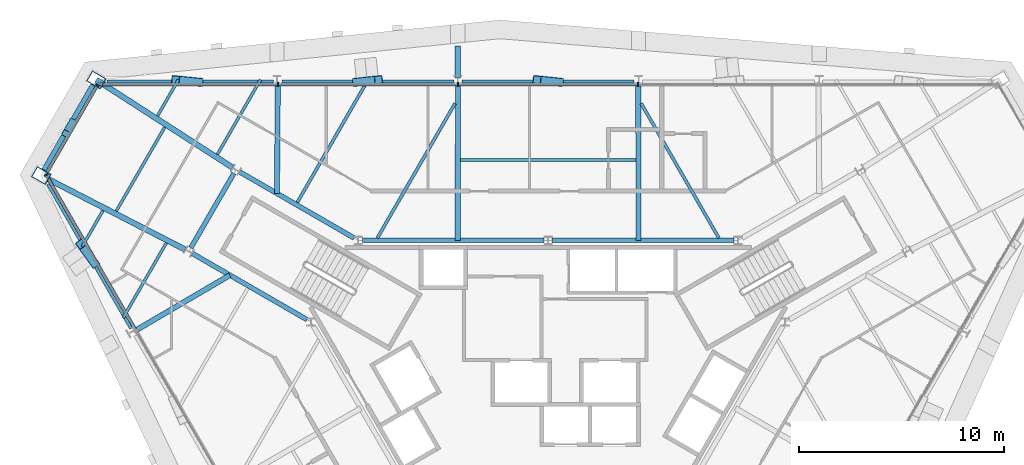
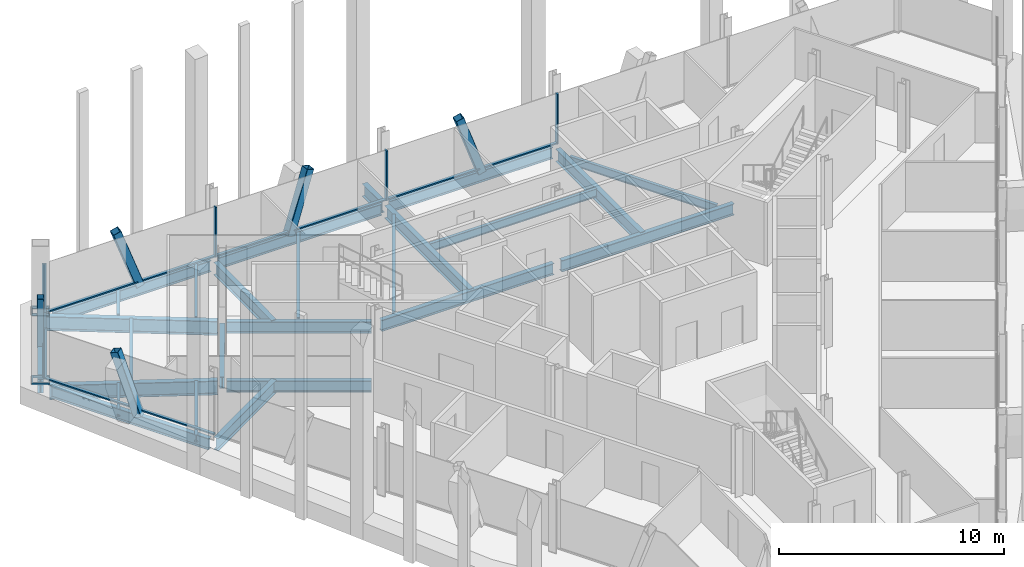
# One storey, part 6 of 14: 26 beams, 17 members, 3 elements without a shape of their own.
"""IFC4 building model written with IfcOpenShell, lengths in metres."""

import ifcopenshell
import ifcopenshell.guid

model = None  # the IFC model being written
_history = None  # IfcOwnerHistory: only IFC2X3 demands one
_inside = {}  # id of a spatial element -> (the spatial element, [elements in it])
_under = {}  # id of a project, library or spatial element -> (it, [spatial elements below it])
_declared = {}  # id of a project -> (the project, [libraries it declares])
_typed = {}  # id of a type object -> (the type object, [elements of that type])
_made_of = {}  # id of a material, layer set ... -> (it, [elements and type objects made of it])


def new_model(schema):
    """Start an empty IFC model of exactly this schema.

    Asked for "IFC4X3", IfcOpenShell would pick the latest addendum, in which some entities
    have other attributes; the version numbers below select the first issue.
    IFC2X3 requires an IfcOwnerHistory on every rooted entity: one is made here for all.
    """
    global model, _history
    if schema == "IFC4X3":
        model = ifcopenshell.file(schema_version=(4, 3, 0, 0))
    else:
        model = ifcopenshell.file(schema=schema)
    _inside.clear()
    _under.clear()
    _declared.clear()
    _typed.clear()
    _made_of.clear()
    _history = None
    if model.schema == "IFC2X3":
        org = make("IfcOrganization", Name="unknown")
        user = make(
            "IfcPersonAndOrganization",
            ThePerson=make("IfcPerson", FamilyName="unknown"),
            TheOrganization=org,
        )
        app = make(
            "IfcApplication",
            ApplicationDeveloper=org,
            Version="unknown",
            ApplicationFullName="unknown",
            ApplicationIdentifier="unknown",
        )
        _history = make(
            "IfcOwnerHistory",
            OwningUser=user,
            OwningApplication=app,
            ChangeAction="ADDED",
            CreationDate=0,
        )
    return model


def make(cls, **values):
    """One entity of the class cls with the attributes given. An attribute that is None is left unset."""
    return model.create_entity(
        cls, **{name: value for name, value in values.items() if value is not None}
    )


def rooted(cls, **values):
    """An entity with a GlobalId (a new one), such as an element, a storey or a relation."""
    return make(cls, GlobalId=ifcopenshell.guid.new(), OwnerHistory=_history, **values)


def si_unit(unit_type, name, prefix=None):
    """IfcSIUnit, for example si_unit("LENGTHUNIT", "METRE", prefix="MILLI")."""
    return make("IfcSIUnit", UnitType=unit_type, Prefix=prefix, Name=name)


def assignment(units):
    """IfcUnitAssignment: the units of a project."""
    return None if units is None else make("IfcUnitAssignment", Units=units)


def point(xyz):
    """IfcCartesianPoint."""
    return None if xyz is None else make("IfcCartesianPoint", Coordinates=xyz)


def direction(xyz):
    """IfcDirection."""
    return None if xyz is None else make("IfcDirection", DirectionRatios=xyz)


def frame(location, z_axis=None, x_axis=None):
    """IfcAxis2Placement3D, a coordinate frame: its origin and axes. An axis left out is left unset."""
    return make(
        "IfcAxis2Placement3D",
        Location=point(location),
        Axis=direction(z_axis),
        RefDirection=direction(x_axis),
    )


def frame_2d(location, x_axis=None):
    """IfcAxis2Placement2D, a coordinate frame in the plane: its origin and x axis."""
    return make(
        "IfcAxis2Placement2D", Location=point(location), RefDirection=direction(x_axis)
    )


def origin():
    """The frame at (0, 0, 0) with its axes left unset."""
    return frame((0.0, 0.0, 0.0))


def origin_2d():
    """The frame at (0, 0) in the plane with its x axis left unset."""
    return frame_2d((0.0, 0.0))


def place(relative_to, where):
    """IfcLocalPlacement: puts the frame where relative to a parent placement (None: the world)."""
    return make(
        "IfcLocalPlacement", PlacementRelTo=relative_to, RelativePlacement=where
    )


def context(
    kind, dimensions, precision=None, world=None, true_north=None, identifier=None
):
    """IfcGeometricRepresentationContext, for example the 3D "Model" context."""
    return make(
        "IfcGeometricRepresentationContext",
        ContextIdentifier=identifier,
        ContextType=kind,
        CoordinateSpaceDimension=dimensions,
        Precision=precision,
        WorldCoordinateSystem=world,
        TrueNorth=true_north,
    )


def subcontext(parent, identifier, kind, view, scale=None):
    """IfcGeometricRepresentationSubContext, for example "Body" below "Model"."""
    return make(
        "IfcGeometricRepresentationSubContext",
        ContextIdentifier=identifier,
        ContextType=kind,
        ParentContext=parent,
        TargetScale=scale,
        TargetView=view,
    )


def project(units=None, contexts=None):
    """IfcProject with its units and contexts."""
    return rooted(
        "IfcProject",
        Name="project",
        RepresentationContexts=contexts,
        UnitsInContext=assignment(units),
    )


def spatial(cls, under=None, at=None, **own):
    """A site, building, storey or space (cls), placed at a placement, below another one or the project."""
    s = rooted(cls, ObjectPlacement=at, **own)
    if under is not None:
        _under.setdefault(under.id(), (under, []))[1].append(s)
    return s


def profile(cls, at=None, kind="AREA", **sizes):
    """A parametric profile (cls). Its sizes go by their IFC names, for example OverallWidth=200.0."""
    return make(cls, ProfileType=kind, Position=at, **sizes)


def rectangle(**sizes):
    """IfcRectangleProfileDef."""
    return profile("IfcRectangleProfileDef", **sizes)


def hollow_rectangle(**sizes):
    """IfcRectangleHollowProfileDef."""
    return profile("IfcRectangleHollowProfileDef", **sizes)


def i_section(**sizes):
    """IfcIShapeProfileDef."""
    return profile("IfcIShapeProfileDef", **sizes)


def extrude(swept, where, along, depth):
    """IfcExtrudedAreaSolid: the profile swept, set in the frame where, extruded along a direction by depth."""
    return make(
        "IfcExtrudedAreaSolid",
        SweptArea=swept,
        Position=where,
        ExtrudedDirection=direction(along),
        Depth=depth,
    )


def shape(context_of_items, identifier, shape_type, items):
    """IfcShapeRepresentation: the items that make up one representation, for example the "Body"."""
    return make(
        "IfcShapeRepresentation",
        ContextOfItems=context_of_items,
        RepresentationIdentifier=identifier,
        RepresentationType=shape_type,
        Items=items,
    )


def material(Name=None, Category=None):
    """IfcMaterial."""
    return make("IfcMaterial", Name=Name, Category=Category)


def material_profile(
    of_material, cross_section, Name=None, Category=None, Priority=None
):
    """IfcMaterialProfile: a cross section and its material."""
    return make(
        "IfcMaterialProfile",
        Name=Name,
        Material=of_material,
        Profile=cross_section,
        Priority=Priority,
        Category=Category,
    )


def profile_set(profiles, Name=None, composite=None):
    """IfcMaterialProfileSet."""
    return make(
        "IfcMaterialProfileSet",
        Name=Name,
        MaterialProfiles=profiles,
        CompositeProfile=composite,
    )


def made_of(thing, what):
    """Note that an element or type object is made of a material, layer set ...; save() writes the relation."""
    if what is not None:
        _made_of.setdefault(what.id(), (what, []))[1].append(thing)
    return thing


def type_object(cls, material=None, **own):
    """A type object (cls), such as IfcWallType, which elements share."""
    return made_of(rooted(cls, **own), material)


def element(
    cls,
    number,
    at=None,
    inside=None,
    cuts=None,
    type_object=None,
    material=None,
    context=None,
    identifier="Body",
    shape_type=None,
    held_by="IfcProductDefinitionShape",
    body=None,
    shapes=None,
    **own,
):
    """One element of the class cls, such as IfcWall. Its Tag is "e" and its number.

    at: its placement. inside: the storey or other place that contains it. cuts: it is an
    opening in that element (IfcRelVoidsElement). A single representation is given by context,
    identifier, shape_type and body (its items); several are given by shapes. held_by: the class
    of the entity that holds the representations. save() writes the other relations.
    """
    e = rooted(cls, Tag="e%d" % number, ObjectPlacement=at, **own)
    if body is not None:
        shapes = [shape(context, identifier, shape_type, body)]
    if shapes is not None:
        e.Representation = make(held_by, Representations=shapes)
    if inside is not None:
        _inside.setdefault(inside.id(), (inside, []))[1].append(e)
    if cuts is not None:
        rooted(
            "IfcRelVoidsElement", RelatingBuildingElement=cuts, RelatedOpeningElement=e
        )
    if type_object is not None:
        _typed.setdefault(type_object.id(), (type_object, []))[1].append(e)
    return made_of(e, material)


def aggregate(whole, parts):
    """IfcRelAggregates: a whole, such as a stair, and the parts it consists of."""
    return rooted("IfcRelAggregates", RelatingObject=whole, RelatedObjects=parts)


def save(model, path):
    """Write the relations noted so far, then the file.

    IfcRelAggregates (storeys below a building ...), IfcRelContainedInSpatialStructure (elements
    in a storey), IfcRelDefinesByType, IfcRelAssociatesMaterial and IfcRelDeclares: one each for
    every whole, place, type object, material and project.
    """
    for whole, parts in _under.values():
        aggregate(whole, parts)
    for where, things in _inside.values():
        rooted(
            "IfcRelContainedInSpatialStructure",
            RelatedElements=things,
            RelatingStructure=where,
        )
    for kind, things in _typed.values():
        rooted("IfcRelDefinesByType", RelatedObjects=things, RelatingType=kind)
    for what, things in _made_of.values():
        rooted("IfcRelAssociatesMaterial", RelatedObjects=things, RelatingMaterial=what)
    for by, libraries in _declared.values():
        rooted("IfcRelDeclares", RelatingContext=by, RelatedDefinitions=libraries)
    model.write(path)


model = new_model("IFC4")

# Units and contexts
model_context = context("Model", 3, precision=1e-05, world=origin(), true_north=direction((0.0, 1.0)))
body_context = subcontext(model_context, "Body", "Model", "MODEL_VIEW")
ifc_project = project(units=[si_unit("LENGTHUNIT", "METRE"), si_unit("AREAUNIT", "SQUARE_METRE"), si_unit("VOLUMEUNIT", "CUBIC_METRE"), si_unit("PLANEANGLEUNIT", "RADIAN"), si_unit("MASSUNIT", "GRAM", prefix="KILO")], contexts=[model_context])

# Site, building, storey
site_placement = place(None, origin())
site = spatial("IfcSite", under=ifc_project, at=site_placement, CompositionType="ELEMENT")
building_placement = place(site_placement, origin())
building = spatial("IfcBuilding", under=site, at=building_placement, Name="Verrane Prism Tower", CompositionType="ELEMENT")
storey_placement = place(building_placement, frame((0.0, 0.0, 217.5)))
storey = spatial("IfcBuildingStorey", under=building, at=storey_placement, Name="L54", CompositionType="ELEMENT", Elevation=217.5)

# Member
ifc_material_1 = material(Name="Steel A500 Grade C", Category="steel")
ifc_material_profile_1 = material_profile(ifc_material_1, hollow_rectangle(XDim=0.3046875, YDim=0.3046875, WallThickness=0.0126953125, InnerFilletRadius=0.00634765625, OuterFilletRadius=0.01904296875, at=origin_2d()), Name="HSS12x12x1/2")
ifc_profile_set_1 = profile_set([ifc_material_profile_1], Name="Steel A500 Grade C")
member_type_1 = type_object("IfcMemberType", Name="Chamfer brace HSS12x12x1/2", PredefinedType="BRACE", material=ifc_profile_set_1)
member_1_placement = place(storey_placement, frame((-23.213623046875, 13.775146484375, -0.24267578125), z_axis=(-0.101664317764, -0.176489870854, 0.979038146335), x_axis=(0.866518541791, -0.499144885511, 0.0)))
element("IfcMember", 1, at=member_1_placement, inside=storey, type_object=member_type_1, Name="Chamfer brace NW0 L54", PredefinedType="BRACE", context=body_context, shape_type="SweptSolid", body=[
    extrude(hollow_rectangle(XDim=0.3046875, YDim=0.3046875, WallThickness=0.0126953125, InnerFilletRadius=0.00634765625, OuterFilletRadius=0.01904296875, at=origin_2d()), origin(), (0.0, 0.0, 1.0), 3.1748046875),
])

# Beams
ifc_material_2 = material(Name="Steel A992", Category="steel")
ifc_material_profile_2 = material_profile(ifc_material_2, i_section(OverallWidth=0.2666015625, OverallDepth=0.7568359375, WebThickness=0.013916015625, FlangeThickness=0.019287109375, FilletRadius=0.0166015625, at=origin_2d()), Name="W30x108")
ifc_profile_set_2 = profile_set([ifc_material_profile_2], Name="Steel A992")
beam_type_1 = type_object("IfcBeamType", Name="Chamfer spandrel beam W30x108", PredefinedType="SPANDREL", material=ifc_profile_set_2)
beam_1_placement = place(storey_placement, frame((-22.1796875, 15.570068359375, -0.53857421875), z_axis=(-0.499144251771, -0.866518906848, 0.0), x_axis=(0.866518906848, -0.499144251771, 0.0)))
element("IfcBeam", 2, at=beam_1_placement, inside=storey, type_object=beam_type_1, Name="Chamfer spandrel beam L54", PredefinedType="SPANDREL", context=body_context, shape_type="SweptSolid", body=[
    extrude(i_section(OverallWidth=0.2666015625, OverallDepth=0.7568359375, WebThickness=0.013916015625, FlangeThickness=0.019287109375, FilletRadius=0.0166015625, at=origin_2d()), origin(), (0.0, 0.0, 1.0), 4.78955078125),
])
ifc_material_3 = material(Name="Steel A992", Category="steel")
ifc_material_profile_3 = material_profile(ifc_material_3, i_section(OverallWidth=0.23046875, OverallDepth=0.6171875, WebThickness=0.01318359375, FlangeThickness=0.022216796875, FilletRadius=0.012939453125, at=origin_2d()), Name="W24x94")
ifc_profile_set_3 = profile_set([ifc_material_profile_3], Name="Steel A992")
beam_type_2 = type_object("IfcBeamType", Name="Core ring girder W24x94", PredefinedType="BEAM", material=ifc_profile_set_3)
for number, where, z_axis, x_axis, name in (
    (3, (9.060546875, 8.0, -0.55859375), (-1.0, 0.0, 0.0), (0.0, -1.0, 0.0), "Core ring girder L54"),
    (4, (-0.199462890625, 8.0, -0.55859375), (-1.0, 0.0, 0.0), (0.0, -1.0, 0.0), "Core ring girder L54"),
):
    element("IfcBeam", number, at=place(storey_placement, frame(where, z_axis=z_axis, x_axis=x_axis)), inside=storey, type_object=beam_type_2, Name=name, PredefinedType="BEAM", context=body_context, shape_type="SweptSolid", body=[
        extrude(i_section(OverallWidth=0.23046875, OverallDepth=0.6171875, WebThickness=0.01318359375, FlangeThickness=0.022216796875, FilletRadius=0.012939453125, at=origin_2d()), origin(), (0.0, 0.0, 1.0), 8.861083984375),
    ])
beam_2_placement = place(storey_placement, frame((-9.45947265625, 8.114990234375, -0.55859375), z_axis=(-0.866080992722, 0.499903704773, 0.0), x_axis=(-0.499903704773, -0.866080992722, 0.0)))
element("IfcBeam", 5, at=beam_2_placement, inside=storey, type_object=beam_type_2, Name="Core ring girder L54", PredefinedType="BEAM", context=body_context, shape_type="SweptSolid", body=[
    extrude(i_section(OverallWidth=0.23046875, OverallDepth=0.6171875, WebThickness=0.01318359375, FlangeThickness=0.022216796875, FilletRadius=0.012939453125, at=origin_2d()), origin(), (0.0, 0.0, 1.0), 6.451904296875),
])
beam_3_placement = place(storey_placement, frame((-15.3203125, 11.266357421875, -0.55859375), z_axis=(-0.500375511519, -0.865808493532, 0.0), x_axis=(0.865808493532, -0.500375511519, 0.0)))
element("IfcBeam", 6, at=beam_3_placement, inside=storey, type_object=beam_type_2, Name="Core ring girder L54", PredefinedType="BEAM", context=body_context, shape_type="SweptSolid", body=[
    extrude(i_section(OverallWidth=0.23046875, OverallDepth=0.6171875, WebThickness=0.01318359375, FlangeThickness=0.022216796875, FilletRadius=0.012939453125, at=origin_2d()), origin(), (0.0, 0.0, 1.0), 4.195556640625),
])
beam_4_placement = place(storey_placement, frame((-17.347412109375, 7.3603515625, -0.55859375), z_axis=(0.866080992722, -0.499903704773, 0.0), x_axis=(0.499903704773, 0.866080992722, 0.0)))
element("IfcBeam", 7, at=beam_4_placement, inside=storey, type_object=beam_type_2, Name="Core ring girder L54", PredefinedType="BEAM", context=body_context, shape_type="SweptSolid", body=[
    extrude(i_section(OverallWidth=0.23046875, OverallDepth=0.6171875, WebThickness=0.01318359375, FlangeThickness=0.022216796875, FilletRadius=0.012939453125, at=origin_2d()), origin(), (0.0, 0.0, 1.0), 6.451904296875),
])
ifc_material_4 = material(Name="Steel A992", Category="steel")
ifc_material_profile_4 = material_profile(ifc_material_4, i_section(OverallWidth=0.2666015625, OverallDepth=0.76708984375, WebThickness=0.014892578125, FlangeThickness=0.023681640625, FilletRadius=0.0166015625, at=origin_2d()), Name="W30x124")
ifc_profile_set_4 = profile_set([ifc_material_profile_4], Name="Steel A992")
beam_type_3 = type_object("IfcBeamType", Name="Corner girder W30x124", PredefinedType="BEAM", material=ifc_profile_set_4)
beam_5_placement = place(storey_placement, frame((-22.02880859375, 15.8291015625, -0.603515625), z_axis=(0.840503183153, -0.541806606742, 0.0), x_axis=(0.541806606742, 0.840503183153, 0.0)))
element("IfcBeam", 8, at=beam_5_placement, inside=storey, type_object=beam_type_3, Name="Corner girder L54", PredefinedType="BEAM", context=body_context, shape_type="SweptSolid", body=[
    extrude(i_section(OverallWidth=0.2666015625, OverallDepth=0.76708984375, WebThickness=0.014892578125, FlangeThickness=0.023681640625, FilletRadius=0.0166015625, at=origin_2d()), origin(), (0.0, 0.0, 1.0), 7.9013671875),
])
beam_6_placement = place(storey_placement, frame((-24.36376953125, 10.97705078125, -0.603515625), z_axis=(0.889427813273, -0.457075666576, 0.0), x_axis=(0.457075666576, 0.889427813273, 0.0)))
element("IfcBeam", 9, at=beam_6_placement, inside=storey, type_object=beam_type_3, Name="Corner girder L54", PredefinedType="BEAM", context=body_context, shape_type="SweptSolid", body=[
    extrude(i_section(OverallWidth=0.2666015625, OverallDepth=0.76708984375, WebThickness=0.014892578125, FlangeThickness=0.023681640625, FilletRadius=0.0166015625, at=origin_2d()), origin(), (0.0, 0.0, 1.0), 7.4951171875),
])

# Members
ifc_material_5 = material(Name="Steel A500 Grade C", Category="steel")
ifc_material_profile_5 = material_profile(ifc_material_5, hollow_rectangle(XDim=0.406494140625, YDim=0.406494140625, WallThickness=0.01904296875, InnerFilletRadius=0.009521484375, OuterFilletRadius=0.028564453125, at=origin_2d()), Name="HSS16x16x3/4")
ifc_profile_set_5 = profile_set([ifc_material_profile_5], Name="Steel A500 Grade C")
member_type_2 = type_object("IfcMemberType", Name="Facade brace HSS16x16x3/4", PredefinedType="BRACE", material=ifc_profile_set_5)
member_2_placement = place(storey_placement, frame((0.542236328125, 15.714599609375, -0.216796875), z_axis=(-0.321696435785, 0.034186118653, 0.946225508267), x_axis=(-0.105673248524, -0.994400907354, 0.0)))
element("IfcMember", 10, at=member_2_placement, inside=storey, type_object=member_type_2, Name="Facade brace N2 L54", PredefinedType="BRACE", context=body_context, shape_type="SweptSolid", body=[
    extrude(hollow_rectangle(XDim=0.406494140625, YDim=0.406494140625, WallThickness=0.01904296875, InnerFilletRadius=0.009521484375, OuterFilletRadius=0.028564453125, at=origin_2d()), origin(), (0.0, 0.0, 1.0), 3.3779296875),
])
member_3_placement = place(storey_placement, frame((-9.330810546875, 15.714599609375, -0.216796875), z_axis=(0.314998621258, 0.034267329313, 0.948473309454), x_axis=(-0.108147604193, 0.994134847849, 0.0)))
element("IfcMember", 11, at=member_3_placement, inside=storey, type_object=member_type_2, Name="Facade brace N3 L54", PredefinedType="BRACE", context=body_context, shape_type="SweptSolid", body=[
    extrude(hollow_rectangle(XDim=0.406494140625, YDim=0.406494140625, WallThickness=0.01904296875, InnerFilletRadius=0.009521484375, OuterFilletRadius=0.028564453125, at=origin_2d()), origin(), (0.0, 0.0, 1.0), 3.369873046875),
])
member_4_placement = place(storey_placement, frame((-17.032470703125, 15.714599609375, -0.216796875), z_axis=(-0.333797580148, 0.034034545249, 0.942030161522), x_axis=(-0.101435721286, -0.994842095233, 0.0)))
element("IfcMember", 12, at=member_4_placement, inside=storey, type_object=member_type_2, Name="Facade brace N4 L54", PredefinedType="BRACE", context=body_context, shape_type="SweptSolid", body=[
    extrude(hollow_rectangle(XDim=0.406494140625, YDim=0.406494140625, WallThickness=0.01904296875, InnerFilletRadius=0.009521484375, OuterFilletRadius=0.028564453125, at=origin_2d()), origin(), (0.0, 0.0, 1.0), 3.39306640625),
])
member_5_placement = place(storey_placement, frame((-22.124267578125, 6.890380859375, -0.216796875), z_axis=(-0.19616850843, 0.271872569644, 0.94212696712), x_axis=(-0.810939512146, -0.585129992088, 0.0)))
element("IfcMember", 13, at=member_5_placement, inside=storey, type_object=member_type_2, Name="Facade brace SW0 L54", PredefinedType="BRACE", context=body_context, shape_type="SweptSolid", body=[
    extrude(hollow_rectangle(XDim=0.406494140625, YDim=0.406494140625, WallThickness=0.01904296875, InnerFilletRadius=0.009521484375, OuterFilletRadius=0.028564453125, at=origin_2d()), origin(), (0.0, 0.0, 1.0), 3.392578125),
])

# Beams
ifc_material_6 = material(Name="Steel A992", Category="steel")
ifc_material_profile_6 = material_profile(ifc_material_6, i_section(OverallWidth=0.140380859375, OverallDepth=0.40380859375, WebThickness=0.007080078125, FlangeThickness=0.01123046875, FilletRadius=0.01025390625, at=origin_2d()), Name="W16x31")
ifc_profile_set_6 = profile_set([ifc_material_profile_6], Name="Steel A992")
beam_type_4 = type_object("IfcBeamType", Name="Floor beam W16x31", PredefinedType="BEAM", material=ifc_profile_set_6)
beam_7_placement = place(storey_placement, frame((-16.12890625, 12.184814453125, -0.36181640625), z_axis=(0.499981865284, 0.866035873614, 0.0), x_axis=(-0.866035873614, 0.499981865284, 0.0)))
element("IfcBeam", 14, at=beam_7_placement, inside=storey, type_object=beam_type_4, Name="Floor beam L54", PredefinedType="BEAM", context=body_context, shape_type="SweptSolid", body=[
    extrude(i_section(OverallWidth=0.140380859375, OverallDepth=0.40380859375, WebThickness=0.007080078125, FlangeThickness=0.01123046875, FilletRadius=0.01025390625, at=origin_2d()), origin(), (0.0, 0.0, 1.0), 4.209228515625),
])
beam_8_placement = place(storey_placement, frame((-19.0458984375, 14.065185546875, -0.36181640625), z_axis=(0.499940238163, 0.866059904548, 0.0), x_axis=(-0.866059904548, 0.499940238163, 0.0)))
element("IfcBeam", 15, at=beam_8_placement, inside=storey, type_object=beam_type_4, Name="Floor beam L54", PredefinedType="BEAM", context=body_context, shape_type="SweptSolid", body=[
    extrude(i_section(OverallWidth=0.140380859375, OverallDepth=0.40380859375, WebThickness=0.007080078125, FlangeThickness=0.01123046875, FilletRadius=0.01025390625, at=origin_2d()), origin(), (0.0, 0.0, 1.0), 2.037841796875),
])
beam_9_placement = place(storey_placement, frame((-20.720458984375, 4.224365234375, -0.36181640625), z_axis=(0.500010096862, 0.86601957428, 0.0), x_axis=(-0.86601957428, 0.500010096862, 0.0)))
element("IfcBeam", 16, at=beam_9_placement, inside=storey, type_object=beam_type_4, Name="Floor beam L54", PredefinedType="BEAM", context=body_context, shape_type="SweptSolid", body=[
    extrude(i_section(OverallWidth=0.140380859375, OverallDepth=0.40380859375, WebThickness=0.007080078125, FlangeThickness=0.01123046875, FilletRadius=0.01025390625, at=origin_2d()), origin(), (0.0, 0.0, 1.0), 4.21240234375),
])
beam_10_placement = place(storey_placement, frame((-22.72021484375, 7.692138671875, -0.36181640625), z_axis=(0.500040236659, 0.866002171892, 0.0), x_axis=(-0.866002171892, 0.500040236659, 0.0)))
element("IfcBeam", 17, at=beam_10_placement, inside=storey, type_object=beam_type_4, Name="Floor beam L54", PredefinedType="BEAM", context=body_context, shape_type="SweptSolid", body=[
    extrude(i_section(OverallWidth=0.140380859375, OverallDepth=0.40380859375, WebThickness=0.007080078125, FlangeThickness=0.01123046875, FilletRadius=0.01025390625, at=origin_2d()), origin(), (0.0, 0.0, 1.0), 2.039306640625),
])
beam_11_placement = place(storey_placement, frame((-21.0546875, 9.426513671875, -0.36181640625), z_axis=(0.499972881236, 0.866041060244, 0.0), x_axis=(-0.866041060244, 0.499972881236, 0.0)))
element("IfcBeam", 18, at=beam_11_placement, inside=storey, type_object=beam_type_4, Name="Floor beam L54", PredefinedType="BEAM", context=body_context, shape_type="SweptSolid", body=[
    extrude(i_section(OverallWidth=0.140380859375, OverallDepth=0.40380859375, WebThickness=0.007080078125, FlangeThickness=0.01123046875, FilletRadius=0.01025390625, at=origin_2d()), origin(), (0.0, 0.0, 1.0), 4.725830078125),
])
ifc_material_7 = material(Name="Steel A992", Category="steel")
ifc_material_profile_7 = material_profile(ifc_material_7, i_section(OverallWidth=0.15234375, OverallDepth=0.449462890625, WebThickness=0.007568359375, FlangeThickness=0.0107421875, FilletRadius=0.01025390625, at=origin_2d()), Name="W18x35")
ifc_profile_set_7 = profile_set([ifc_material_profile_7], Name="Steel A992")
beam_type_5 = type_object("IfcBeamType", Name="Floor beam W18x35", PredefinedType="BEAM", material=ifc_profile_set_7)
beam_12_placement = place(storey_placement, frame((8.3251953125, 8.114990234375, -0.384765625), z_axis=(-0.499996766439, 0.866027270674, 0.0), x_axis=(-0.866027270674, -0.499996766439, 0.0)))
element("IfcBeam", 19, at=beam_12_placement, inside=storey, type_object=beam_type_5, Name="Floor beam L54", PredefinedType="BEAM", context=body_context, shape_type="SweptSolid", body=[
    extrude(i_section(OverallWidth=0.15234375, OverallDepth=0.449462890625, WebThickness=0.007568359375, FlangeThickness=0.0107421875, FilletRadius=0.01025390625, at=origin_2d()), origin(), (0.0, 0.0, 1.0), 7.57568359375),
])
beam_13_placement = place(storey_placement, frame((-4.282958984375, 11.9150390625, -0.384765625), z_axis=(1.0, 0.0, 0.0), x_axis=(0.0, 1.0, 0.0)))
element("IfcBeam", 20, at=beam_13_placement, inside=storey, type_object=beam_type_5, Name="Floor beam L54", PredefinedType="BEAM", context=body_context, shape_type="SweptSolid", body=[
    extrude(i_section(OverallWidth=0.15234375, OverallDepth=0.449462890625, WebThickness=0.007568359375, FlangeThickness=0.0107421875, FilletRadius=0.01025390625, at=origin_2d()), origin(), (0.0, 0.0, 1.0), 8.56591796875),
])
beam_14_placement = place(storey_placement, frame((-8.3251953125, 8.114990234375, -0.384765625), z_axis=(0.499996766439, 0.866027270674, 0.0), x_axis=(-0.866027270674, 0.499996766439, 0.0)))
element("IfcBeam", 21, at=beam_14_placement, inside=storey, type_object=beam_type_5, Name="Floor beam L54", PredefinedType="BEAM", context=body_context, shape_type="SweptSolid", body=[
    extrude(i_section(OverallWidth=0.15234375, OverallDepth=0.449462890625, WebThickness=0.007568359375, FlangeThickness=0.0107421875, FilletRadius=0.01025390625, at=origin_2d()), origin(), (0.0, 0.0, 1.0), 7.57568359375),
])
beam_15_placement = place(storey_placement, frame((-12.22900390625, 9.849853515625, -0.384765625), z_axis=(0.499994833418, 0.866028386691, 0.0), x_axis=(-0.866028386691, 0.499994833418, 0.0)))
element("IfcBeam", 22, at=beam_15_placement, inside=storey, type_object=beam_type_5, Name="Floor beam L54", PredefinedType="BEAM", context=body_context, shape_type="SweptSolid", body=[
    extrude(i_section(OverallWidth=0.15234375, OverallDepth=0.449462890625, WebThickness=0.007568359375, FlangeThickness=0.0107421875, FilletRadius=0.01025390625, at=origin_2d()), origin(), (0.0, 0.0, 1.0), 6.9052734375),
])

# Members
ifc_material_8 = material(Name="Steel A572 Grade 50", Category="steel")
ifc_material_profile_8 = material_profile(ifc_material_8, hollow_rectangle(XDim=0.60009765625, YDim=0.800048828125, WallThickness=0.050048828125, at=origin_2d()), Name="BOX 800x600x50")
ifc_profile_set_8 = profile_set([ifc_material_profile_8], Name="Steel A572 Grade 50")
member_type_3 = type_object("IfcMemberType", Name="Kink node BOX 800x600x50", PredefinedType="COLLAR", material=ifc_profile_set_8)
for number, where, z_axis, x_axis, name in (
    (23, (-22.0263671875, 15.823974609375, -0.06494140625), (0.0, 0.0, 1.0), (0.5, 0.866025403784, 0.0), "Kink node MC4 L54"),
    (24, (-24.712890625, 11.159912109375, -0.06494140625), (0.0, 0.0, 1.0), (0.5, 0.866025403784, 0.0), "Kink node MC4 L54"),
):
    element("IfcMember", number, at=place(storey_placement, frame(where, z_axis=z_axis, x_axis=x_axis)), inside=storey, type_object=member_type_3, Name=name, PredefinedType="COLLAR", context=body_context, shape_type="SweptSolid", body=[
        extrude(hollow_rectangle(XDim=0.60009765625, YDim=0.800048828125, WallThickness=0.050048828125, at=origin_2d()), origin(), (0.0, 0.0, 1.0), 0.1298828125),
    ])

# Curtain wall, members
ifc_material_9 = material(Name="Aluminium framed insulated glazing", Category="aluminium")
curtain_wall_type = type_object("IfcCurtainWallType", Name="Curtain wall CW-A 8400 module", PredefinedType="NOTDEFINED", material=ifc_material_9)
curtain_wall_1_placement = place(storey_placement, origin())
curtain_wall_1 = element("IfcCurtainWall", 25, at=curtain_wall_1_placement, inside=storey, type_object=curtain_wall_type, Name="Glazed curtain wall north face L54", PredefinedType="NOTDEFINED")
ifc_material_10 = material(Name="Aluminium alloy 6063-T6", Category="aluminium")
ifc_material_profile_9 = material_profile(ifc_material_10, rectangle(XDim=0.199951171875, YDim=0.070068359375, at=origin_2d()), Name="Mullion 70x200 aluminium")
ifc_profile_set_9 = profile_set([ifc_material_profile_9], Name="Aluminium alloy 6063-T6")
member_type_4 = type_object("IfcMemberType", Name="Mullion 70x200 aluminium", PredefinedType="MULLION", material=ifc_profile_set_9)
member_6_placement = place(storey_placement, frame((4.39111328125, 15.601806640625, 0.0), z_axis=(0.0, 0.0, 1.0), x_axis=(0.0, -1.0, 0.0)))
member_6 = element("IfcMember", 26, at=member_6_placement, type_object=member_type_4, Name="CW54.2 mullion 3", PredefinedType="MULLION", context=body_context, shape_type="SweptSolid", body=[
    extrude(rectangle(XDim=0.199951171875, YDim=0.070068359375, at=origin_2d()), origin(), (0.0, 0.0, 1.0), 2.712890625),
])
member_7_placement = place(storey_placement, frame((-4.39111328125, 15.601806640625, 0.0), z_axis=(0.0, 0.0, 1.0), x_axis=(0.0, -1.0, 0.0)))
member_7 = element("IfcMember", 27, at=member_7_placement, type_object=member_type_4, Name="CW54.2 mullion 4", PredefinedType="MULLION", context=body_context, shape_type="SweptSolid", body=[
    extrude(rectangle(XDim=0.199951171875, YDim=0.070068359375, at=origin_2d()), origin(), (0.0, 0.0, 1.0), 2.712890625),
])
member_8_placement = place(storey_placement, frame((-13.173095703125, 15.601806640625, 0.0), z_axis=(0.0, 0.0, 1.0), x_axis=(0.0, -1.0, 0.0)))
member_8 = element("IfcMember", 28, at=member_8_placement, type_object=member_type_4, Name="CW54.2 mullion 5", PredefinedType="MULLION", context=body_context, shape_type="SweptSolid", body=[
    extrude(rectangle(XDim=0.199951171875, YDim=0.070068359375, at=origin_2d()), origin(), (0.0, 0.0, 1.0), 2.712890625),
])

# Curtain wall, member
curtain_wall_2_placement = place(storey_placement, origin())
curtain_wall_2 = element("IfcCurtainWall", 29, at=curtain_wall_2_placement, inside=storey, type_object=curtain_wall_type, Name="Glazed curtain wall north-west corner L54", PredefinedType="NOTDEFINED")
member_9_placement = place(storey_placement, frame((-21.972900390625, 15.571533203125, 0.0), z_axis=(0.0, 0.0, 1.0), x_axis=(0.866028188915, -0.499995175981, 0.0)))
member_9 = element("IfcMember", 30, at=member_9_placement, type_object=member_type_4, Name="CW54.3 mullion 1", PredefinedType="MULLION", context=body_context, shape_type="SweptSolid", body=[
    extrude(rectangle(XDim=0.199951171875, YDim=0.070068359375, at=origin_2d()), origin(), (0.0, 0.0, 1.0), 2.712890625),
])

curtain_wall_3_placement = place(storey_placement, origin())
curtain_wall_3 = element("IfcCurtainWall", 31, at=curtain_wall_3_placement, inside=storey, type_object=curtain_wall_type, Name="Glazed curtain wall south-west face L54", PredefinedType="NOTDEFINED")
member_10_placement = place(storey_placement, frame((-24.4716796875, 11.1826171875, 0.0), z_axis=(0.0, 0.0, 1.0), x_axis=(0.866024862365, 0.500000937764, 0.0)))
member_10 = element("IfcMember", 32, at=member_10_placement, type_object=member_type_4, Name="CW54.4 mullion 1", PredefinedType="MULLION", context=body_context, shape_type="SweptSolid", body=[
    extrude(rectangle(XDim=0.199951171875, YDim=0.070068359375, at=origin_2d()), origin(), (0.0, 0.0, 1.0), 2.712890625),
])

# Beams
ifc_material_11 = material(Name="Steel A992", Category="steel")
ifc_material_profile_10 = material_profile(ifc_material_11, i_section(OverallWidth=0.25390625, OverallDepth=0.683349609375, WebThickness=0.012451171875, FlangeThickness=0.01904296875, FilletRadius=0.01513671875, at=origin_2d()), Name="W27x94")
ifc_profile_set_10 = profile_set([ifc_material_profile_10], Name="Steel A992")
beam_type_6 = type_object("IfcBeamType", Name="Radial girder W27x94", PredefinedType="BEAM", material=ifc_profile_set_10)
for number, where, z_axis, x_axis, name in (
    (33, (4.3955078125, 15.51513671875, -0.5615234375), (0.001916701047, -0.999998163127, 0.0), (0.999998163127, 0.001916701047, 0.0), "Radial girder L54"),
    (34, (-4.3955078125, 15.51513671875, -0.5615234375), (-0.001916701047, -0.999998163127, 0.0), (0.999998163127, -0.001916701047, 0.0), "Radial girder L54"),
):
    element("IfcBeam", number, at=place(storey_placement, frame(where, z_axis=z_axis, x_axis=x_axis)), inside=storey, type_object=beam_type_6, Name=name, PredefinedType="BEAM", context=body_context, shape_type="SweptSolid", body=[
        extrude(i_section(OverallWidth=0.25390625, OverallDepth=0.683349609375, WebThickness=0.012451171875, FlangeThickness=0.01904296875, FilletRadius=0.01513671875, at=origin_2d()), origin(), (0.0, 0.0, 1.0), 7.51513671875),
    ])
beam_16_placement = place(storey_placement, frame((-13.180419921875, 15.51513671875, -0.5615234375), z_axis=(-0.007562808919, -0.999971401552, 0.0), x_axis=(0.999971401552, -0.007562808919, 0.0)))
element("IfcBeam", 35, at=beam_16_placement, inside=storey, type_object=beam_type_6, Name="Radial girder L54", PredefinedType="BEAM", context=body_context, shape_type="SweptSolid", body=[
    extrude(i_section(OverallWidth=0.25390625, OverallDepth=0.683349609375, WebThickness=0.012451171875, FlangeThickness=0.01904296875, FilletRadius=0.01513671875, at=origin_2d()), origin(), (0.0, 0.0, 1.0), 5.229736328125),
])
beam_17_placement = place(storey_placement, frame((-20.027587890625, 3.654052734375, -0.5615234375), z_axis=(0.862301062131, 0.506395969817, 0.0), x_axis=(-0.506395969817, 0.862301062131, 0.0)))
element("IfcBeam", 36, at=beam_17_placement, inside=storey, type_object=beam_type_6, Name="Radial girder L54", PredefinedType="BEAM", context=body_context, shape_type="SweptSolid", body=[
    extrude(i_section(OverallWidth=0.25390625, OverallDepth=0.683349609375, WebThickness=0.012451171875, FlangeThickness=0.01904296875, FilletRadius=0.01513671875, at=origin_2d()), origin(), (0.0, 0.0, 1.0), 5.23193359375),
])
beam_18_placement = place(storey_placement, frame((-4.409912109375, 15.909912109375, -0.5615234375), z_axis=(0.0, 1.0, 0.0), x_axis=(-1.0, 0.0, 0.0)))
element("IfcBeam", 37, at=beam_18_placement, inside=storey, type_object=beam_type_6, Name="Cantilever girder L54", PredefinedType="BEAM", context=body_context, shape_type="SweptSolid", body=[
    extrude(i_section(OverallWidth=0.25390625, OverallDepth=0.683349609375, WebThickness=0.012451171875, FlangeThickness=0.01904296875, FilletRadius=0.01513671875, at=origin_2d()), origin(), (0.0, 0.0, 1.0), 1.575439453125),
])
ifc_material_12 = material(Name="Steel A992", Category="steel")
ifc_material_profile_11 = material_profile(ifc_material_12, i_section(OverallWidth=0.23046875, OverallDepth=0.6171875, WebThickness=0.01318359375, FlangeThickness=0.022216796875, FilletRadius=0.012939453125, at=origin_2d()), Name="W24x94")
ifc_profile_set_11 = profile_set([ifc_material_profile_11], Name="Steel A992")
beam_type_7 = type_object("IfcBeamType", Name="Spandrel beam W24x94", PredefinedType="SPANDREL", material=ifc_profile_set_11)
beam_19_placement = place(storey_placement, frame((4.194580078125, 15.714599609375, -0.468505859375), z_axis=(-1.0, 0.0, 0.0), x_axis=(0.0, -1.0, 0.0)))
element("IfcBeam", 38, at=beam_19_placement, inside=storey, type_object=beam_type_7, Name="Spandrel beam L54", PredefinedType="SPANDREL", context=body_context, shape_type="SweptSolid", body=[
    extrude(i_section(OverallWidth=0.23046875, OverallDepth=0.6171875, WebThickness=0.01318359375, FlangeThickness=0.022216796875, FilletRadius=0.012939453125, at=origin_2d()), origin(), (0.0, 0.0, 1.0), 8.38916015625),
])
beam_20_placement = place(storey_placement, frame((-4.595703125, 15.714599609375, -0.468505859375), z_axis=(-1.0, 0.0, 0.0), x_axis=(0.0, -1.0, 0.0)))
element("IfcBeam", 39, at=beam_20_placement, inside=storey, type_object=beam_type_7, Name="Spandrel beam L54", PredefinedType="SPANDREL", context=body_context, shape_type="SweptSolid", body=[
    extrude(i_section(OverallWidth=0.23046875, OverallDepth=0.6171875, WebThickness=0.01318359375, FlangeThickness=0.022216796875, FilletRadius=0.012939453125, at=origin_2d()), origin(), (0.0, 0.0, 1.0), 8.38232421875),
])
beam_21_placement = place(storey_placement, frame((-13.37939453125, 15.714599609375, -0.468505859375), z_axis=(-1.0, 0.0, 0.0), x_axis=(0.0, -1.0, 0.0)))
element("IfcBeam", 40, at=beam_21_placement, inside=storey, type_object=beam_type_7, Name="Spandrel beam L54", PredefinedType="SPANDREL", context=body_context, shape_type="SweptSolid", body=[
    extrude(i_section(OverallWidth=0.23046875, OverallDepth=0.6171875, WebThickness=0.01318359375, FlangeThickness=0.022216796875, FilletRadius=0.012939453125, at=origin_2d()), origin(), (0.0, 0.0, 1.0), 8.12109375),
])
beam_22_placement = place(storey_placement, frame((-24.355712890625, 10.759765625, -0.468505859375), z_axis=(0.499577529321, -0.866269179988, 0.0), x_axis=(0.866269179988, 0.499577529321, 0.0)))
element("IfcBeam", 41, at=beam_22_placement, inside=storey, type_object=beam_type_7, Name="Spandrel beam L54", PredefinedType="SPANDREL", context=body_context, shape_type="SweptSolid", body=[
    extrude(i_section(OverallWidth=0.23046875, OverallDepth=0.6171875, WebThickness=0.01318359375, FlangeThickness=0.022216796875, FilletRadius=0.012939453125, at=origin_2d()), origin(), (0.0, 0.0, 1.0), 8.11865234375),
])

# Member
ifc_material_13 = material(Name="Aluminium alloy 6063-T6", Category="aluminium")
ifc_material_profile_12 = material_profile(ifc_material_13, rectangle(XDim=0.14990234375, YDim=0.070068359375, at=origin_2d()), Name="Transom 70x150 aluminium")
ifc_profile_set_12 = profile_set([ifc_material_profile_12], Name="Aluminium alloy 6063-T6")
member_type_5 = type_object("IfcMemberType", Name="Transom 70x150 aluminium", PredefinedType="USERDEFINED", material=ifc_profile_set_12)
member_11_placement = place(storey_placement, frame((4.35595703125, 15.601806640625, 0.034912109375), z_axis=(-1.0, 0.0, 0.0), x_axis=(0.0, -1.0, 0.0)))
member_11 = element("IfcMember", 42, at=member_11_placement, type_object=member_type_5, Name="CW54.2 transom 3", ObjectType="TRANSOM", PredefinedType="USERDEFINED", context=body_context, shape_type="SweptSolid", body=[
    extrude(rectangle(XDim=0.14990234375, YDim=0.070068359375, at=origin_2d()), origin(), (0.0, 0.0, 1.0), 8.7119140625),
])

member_12_placement = place(storey_placement, frame((-4.426025390625, 15.601806640625, 0.034912109375), z_axis=(-1.0, 0.0, 0.0), x_axis=(0.0, -1.0, 0.0)))
member_12 = element("IfcMember", 43, at=member_12_placement, type_object=member_type_5, Name="CW54.2 transom 4", ObjectType="TRANSOM", PredefinedType="USERDEFINED", context=body_context, shape_type="SweptSolid", body=[
    extrude(rectangle(XDim=0.14990234375, YDim=0.070068359375, at=origin_2d()), origin(), (0.0, 0.0, 1.0), 8.712158203125),
])

member_13_placement = place(storey_placement, frame((-13.208251953125, 15.601806640625, 0.034912109375), z_axis=(-1.0, 0.0, 0.0), x_axis=(0.0, -1.0, 0.0)))
member_13 = element("IfcMember", 44, at=member_13_placement, type_object=member_type_5, Name="CW54.2 transom 5", ObjectType="TRANSOM", PredefinedType="USERDEFINED", context=body_context, shape_type="SweptSolid", body=[
    extrude(rectangle(XDim=0.14990234375, YDim=0.070068359375, at=origin_2d()), origin(), (0.0, 0.0, 1.0), 8.7470703125),
])

aggregate(curtain_wall_1, [member_6, member_7, member_8, member_11, member_12, member_13])

member_14_placement = place(storey_placement, frame((-21.990234375, 15.541259765625, 0.034912109375), z_axis=(-0.500005754654, -0.866022081308, 0.0), x_axis=(0.866022081308, -0.500005754654, 0.0)))
member_14 = element("IfcMember", 45, at=member_14_placement, type_object=member_type_5, Name="CW54.3 transom 1", ObjectType="TRANSOM", PredefinedType="USERDEFINED", context=body_context, shape_type="SweptSolid", body=[
    extrude(rectangle(XDim=0.14990234375, YDim=0.070068359375, at=origin_2d()), origin(), (0.0, 0.0, 1.0), 4.998046875),
])

aggregate(curtain_wall_2, [member_9, member_14])

member_15_placement = place(storey_placement, frame((-24.4541015625, 11.15234375, 0.034912109375), z_axis=(0.499982246889, -0.866035653305, 0.0), x_axis=(0.866035653305, 0.499982246889, 0.0)))
member_15 = element("IfcMember", 46, at=member_15_placement, type_object=member_type_5, Name="CW54.4 transom 1", ObjectType="TRANSOM", PredefinedType="USERDEFINED", context=body_context, shape_type="SweptSolid", body=[
    extrude(rectangle(XDim=0.14990234375, YDim=0.070068359375, at=origin_2d()), origin(), (0.0, 0.0, 1.0), 8.677001953125),
])

aggregate(curtain_wall_3, [member_10, member_15])

save(model, "model.ifc")
